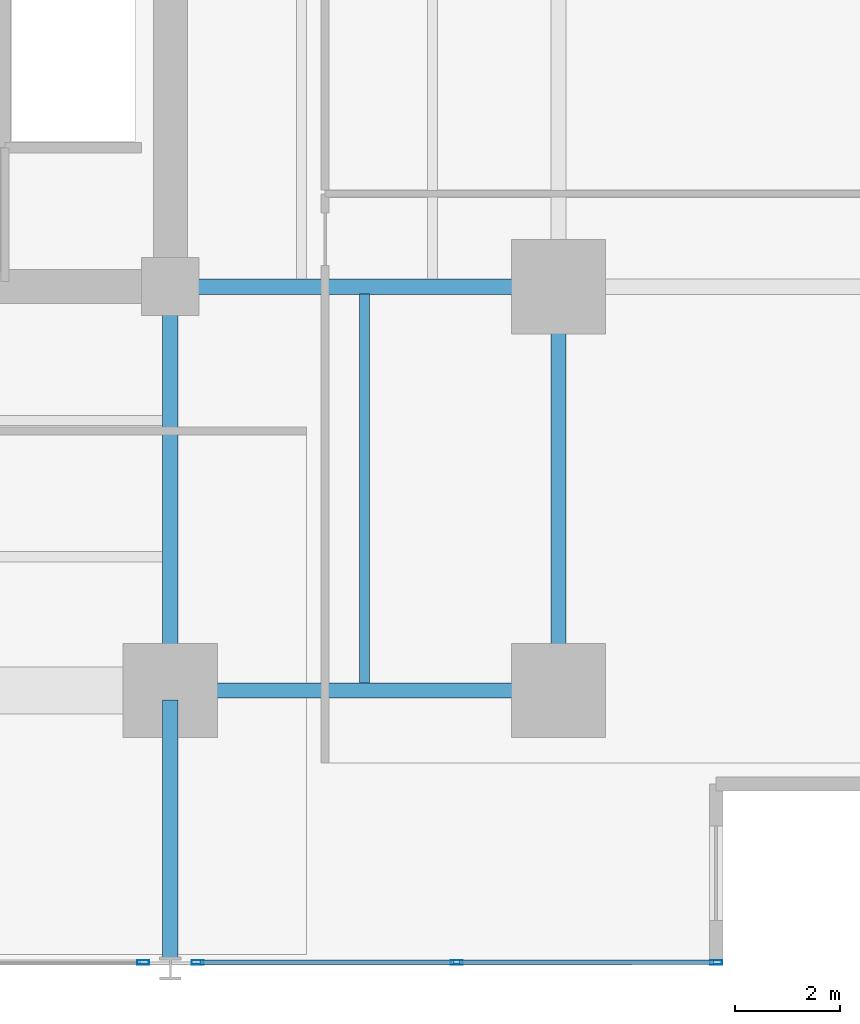
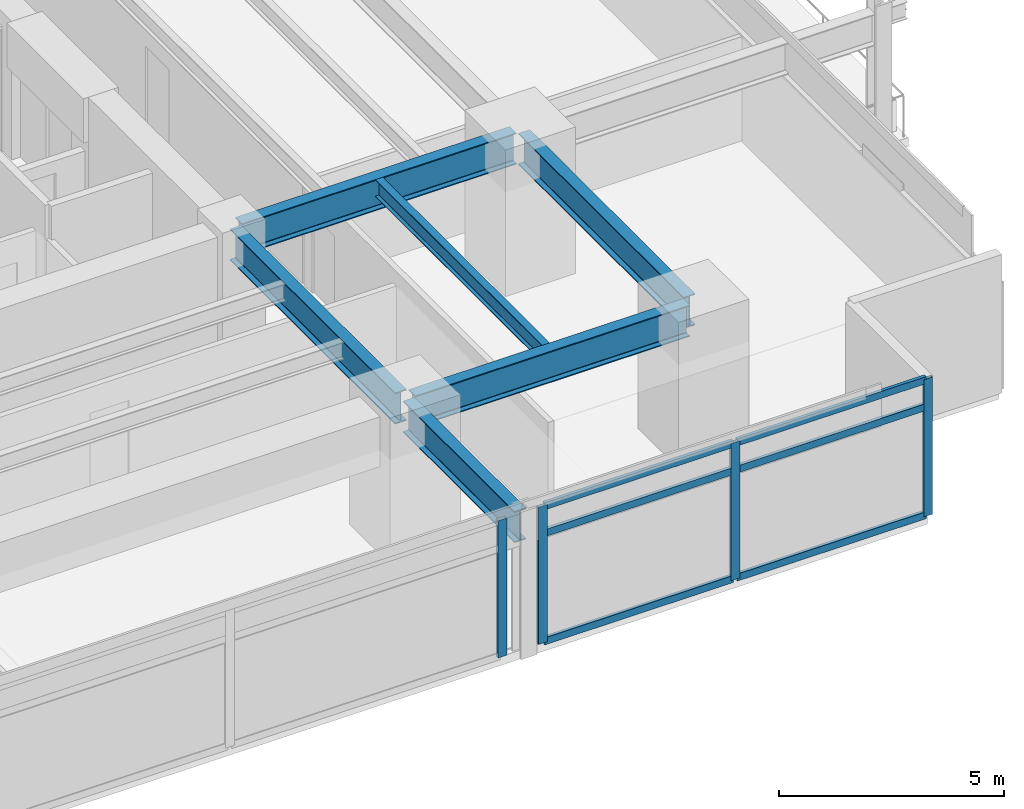
# One storey, part 9 of 20: 10 members, 6 beams, 2 elements without a shape of their own.
"""IFC4 building model written with IfcOpenShell, lengths in metres."""

import ifcopenshell
import ifcopenshell.guid

model = None  # the IFC model being written
_history = None  # IfcOwnerHistory: only IFC2X3 demands one
_inside = {}  # id of a spatial element -> (the spatial element, [elements in it])
_under = {}  # id of a project, library or spatial element -> (it, [spatial elements below it])
_declared = {}  # id of a project -> (the project, [libraries it declares])
_typed = {}  # id of a type object -> (the type object, [elements of that type])
_made_of = {}  # id of a material, layer set ... -> (it, [elements and type objects made of it])


def new_model(schema):
    """Start an empty IFC model of exactly this schema.

    Asked for "IFC4X3", IfcOpenShell would pick the latest addendum, in which some entities
    have other attributes; the version numbers below select the first issue.
    IFC2X3 requires an IfcOwnerHistory on every rooted entity: one is made here for all.
    """
    global model, _history
    if schema == "IFC4X3":
        model = ifcopenshell.file(schema_version=(4, 3, 0, 0))
    else:
        model = ifcopenshell.file(schema=schema)
    _inside.clear()
    _under.clear()
    _declared.clear()
    _typed.clear()
    _made_of.clear()
    _history = None
    if model.schema == "IFC2X3":
        org = make("IfcOrganization", Name="unknown")
        user = make(
            "IfcPersonAndOrganization",
            ThePerson=make("IfcPerson", FamilyName="unknown"),
            TheOrganization=org,
        )
        app = make(
            "IfcApplication",
            ApplicationDeveloper=org,
            Version="unknown",
            ApplicationFullName="unknown",
            ApplicationIdentifier="unknown",
        )
        _history = make(
            "IfcOwnerHistory",
            OwningUser=user,
            OwningApplication=app,
            ChangeAction="ADDED",
            CreationDate=0,
        )
    return model


def make(cls, **values):
    """One entity of the class cls with the attributes given. An attribute that is None is left unset."""
    return model.create_entity(
        cls, **{name: value for name, value in values.items() if value is not None}
    )


def rooted(cls, **values):
    """An entity with a GlobalId (a new one), such as an element, a storey or a relation."""
    return make(cls, GlobalId=ifcopenshell.guid.new(), OwnerHistory=_history, **values)


def si_unit(unit_type, name, prefix=None):
    """IfcSIUnit, for example si_unit("LENGTHUNIT", "METRE", prefix="MILLI")."""
    return make("IfcSIUnit", UnitType=unit_type, Prefix=prefix, Name=name)


def assignment(units):
    """IfcUnitAssignment: the units of a project."""
    return None if units is None else make("IfcUnitAssignment", Units=units)


def point(xyz):
    """IfcCartesianPoint."""
    return None if xyz is None else make("IfcCartesianPoint", Coordinates=xyz)


def direction(xyz):
    """IfcDirection."""
    return None if xyz is None else make("IfcDirection", DirectionRatios=xyz)


def frame(location, z_axis=None, x_axis=None):
    """IfcAxis2Placement3D, a coordinate frame: its origin and axes. An axis left out is left unset."""
    return make(
        "IfcAxis2Placement3D",
        Location=point(location),
        Axis=direction(z_axis),
        RefDirection=direction(x_axis),
    )


def frame_2d(location, x_axis=None):
    """IfcAxis2Placement2D, a coordinate frame in the plane: its origin and x axis."""
    return make(
        "IfcAxis2Placement2D", Location=point(location), RefDirection=direction(x_axis)
    )


def origin():
    """The frame at (0, 0, 0) with its axes left unset."""
    return frame((0.0, 0.0, 0.0))


def origin_2d():
    """The frame at (0, 0) in the plane with its x axis left unset."""
    return frame_2d((0.0, 0.0))


def place(relative_to, where):
    """IfcLocalPlacement: puts the frame where relative to a parent placement (None: the world)."""
    return make(
        "IfcLocalPlacement", PlacementRelTo=relative_to, RelativePlacement=where
    )


def context(
    kind, dimensions, precision=None, world=None, true_north=None, identifier=None
):
    """IfcGeometricRepresentationContext, for example the 3D "Model" context."""
    return make(
        "IfcGeometricRepresentationContext",
        ContextIdentifier=identifier,
        ContextType=kind,
        CoordinateSpaceDimension=dimensions,
        Precision=precision,
        WorldCoordinateSystem=world,
        TrueNorth=true_north,
    )


def subcontext(parent, identifier, kind, view, scale=None):
    """IfcGeometricRepresentationSubContext, for example "Body" below "Model"."""
    return make(
        "IfcGeometricRepresentationSubContext",
        ContextIdentifier=identifier,
        ContextType=kind,
        ParentContext=parent,
        TargetScale=scale,
        TargetView=view,
    )


def project(units=None, contexts=None):
    """IfcProject with its units and contexts."""
    return rooted(
        "IfcProject",
        Name="project",
        RepresentationContexts=contexts,
        UnitsInContext=assignment(units),
    )


def spatial(cls, under=None, at=None, **own):
    """A site, building, storey or space (cls), placed at a placement, below another one or the project."""
    s = rooted(cls, ObjectPlacement=at, **own)
    if under is not None:
        _under.setdefault(under.id(), (under, []))[1].append(s)
    return s


def profile(cls, at=None, kind="AREA", **sizes):
    """A parametric profile (cls). Its sizes go by their IFC names, for example OverallWidth=200.0."""
    return make(cls, ProfileType=kind, Position=at, **sizes)


def hollow_rectangle(**sizes):
    """IfcRectangleHollowProfileDef."""
    return profile("IfcRectangleHollowProfileDef", **sizes)


def i_section(**sizes):
    """IfcIShapeProfileDef."""
    return profile("IfcIShapeProfileDef", **sizes)


def extrude(swept, where, along, depth):
    """IfcExtrudedAreaSolid: the profile swept, set in the frame where, extruded along a direction by depth."""
    return make(
        "IfcExtrudedAreaSolid",
        SweptArea=swept,
        Position=where,
        ExtrudedDirection=direction(along),
        Depth=depth,
    )


def shape(context_of_items, identifier, shape_type, items):
    """IfcShapeRepresentation: the items that make up one representation, for example the "Body"."""
    return make(
        "IfcShapeRepresentation",
        ContextOfItems=context_of_items,
        RepresentationIdentifier=identifier,
        RepresentationType=shape_type,
        Items=items,
    )


def material(Name=None, Category=None):
    """IfcMaterial."""
    return make("IfcMaterial", Name=Name, Category=Category)


def material_profile(
    of_material, cross_section, Name=None, Category=None, Priority=None
):
    """IfcMaterialProfile: a cross section and its material."""
    return make(
        "IfcMaterialProfile",
        Name=Name,
        Material=of_material,
        Profile=cross_section,
        Priority=Priority,
        Category=Category,
    )


def profile_set(profiles, Name=None, composite=None):
    """IfcMaterialProfileSet."""
    return make(
        "IfcMaterialProfileSet",
        Name=Name,
        MaterialProfiles=profiles,
        CompositeProfile=composite,
    )


def made_of(thing, what):
    """Note that an element or type object is made of a material, layer set ...; save() writes the relation."""
    if what is not None:
        _made_of.setdefault(what.id(), (what, []))[1].append(thing)
    return thing


def type_object(cls, material=None, **own):
    """A type object (cls), such as IfcWallType, which elements share."""
    return made_of(rooted(cls, **own), material)


def element(
    cls,
    number,
    at=None,
    inside=None,
    cuts=None,
    type_object=None,
    material=None,
    context=None,
    identifier="Body",
    shape_type=None,
    held_by="IfcProductDefinitionShape",
    body=None,
    shapes=None,
    **own,
):
    """One element of the class cls, such as IfcWall. Its Tag is "e" and its number.

    at: its placement. inside: the storey or other place that contains it. cuts: it is an
    opening in that element (IfcRelVoidsElement). A single representation is given by context,
    identifier, shape_type and body (its items); several are given by shapes. held_by: the class
    of the entity that holds the representations. save() writes the other relations.
    """
    e = rooted(cls, Tag="e%d" % number, ObjectPlacement=at, **own)
    if body is not None:
        shapes = [shape(context, identifier, shape_type, body)]
    if shapes is not None:
        e.Representation = make(held_by, Representations=shapes)
    if inside is not None:
        _inside.setdefault(inside.id(), (inside, []))[1].append(e)
    if cuts is not None:
        rooted(
            "IfcRelVoidsElement", RelatingBuildingElement=cuts, RelatedOpeningElement=e
        )
    if type_object is not None:
        _typed.setdefault(type_object.id(), (type_object, []))[1].append(e)
    return made_of(e, material)


def aggregate(whole, parts):
    """IfcRelAggregates: a whole, such as a stair, and the parts it consists of."""
    return rooted("IfcRelAggregates", RelatingObject=whole, RelatedObjects=parts)


def save(model, path):
    """Write the relations noted so far, then the file.

    IfcRelAggregates (storeys below a building ...), IfcRelContainedInSpatialStructure (elements
    in a storey), IfcRelDefinesByType, IfcRelAssociatesMaterial and IfcRelDeclares: one each for
    every whole, place, type object, material and project.
    """
    for whole, parts in _under.values():
        aggregate(whole, parts)
    for where, things in _inside.values():
        rooted(
            "IfcRelContainedInSpatialStructure",
            RelatedElements=things,
            RelatingStructure=where,
        )
    for kind, things in _typed.values():
        rooted("IfcRelDefinesByType", RelatedObjects=things, RelatingType=kind)
    for what, things in _made_of.values():
        rooted("IfcRelAssociatesMaterial", RelatedObjects=things, RelatingMaterial=what)
    for by, libraries in _declared.values():
        rooted("IfcRelDeclares", RelatingContext=by, RelatedDefinitions=libraries)
    model.write(path)


model = new_model("IFC4")

# Units and contexts
model_context = context("Model", 3, precision=1e-05, world=origin(), true_north=direction((0.0, 1.0)))
body_context = subcontext(model_context, "Body", "Model", "MODEL_VIEW")
ifc_project = project(units=[si_unit("LENGTHUNIT", "METRE"), si_unit("AREAUNIT", "SQUARE_METRE"), si_unit("VOLUMEUNIT", "CUBIC_METRE"), si_unit("PLANEANGLEUNIT", "RADIAN"), si_unit("MASSUNIT", "GRAM", prefix="KILO")], contexts=[model_context])

# Site, building, storey
site_placement = place(None, origin())
site = spatial("IfcSite", under=ifc_project, at=site_placement, CompositionType="ELEMENT")
building_placement = place(site_placement, origin())
building = spatial("IfcBuilding", under=site, at=building_placement, Name="Kovane Verandah Tower", CompositionType="ELEMENT")
storey_placement = place(building_placement, frame((0.0, 0.0, 39.60009765625)))
storey = spatial("IfcBuildingStorey", under=building, at=storey_placement, Name="L08", CompositionType="ELEMENT", Elevation=39.60009765625)

# Beams
ifc_material_1 = material(Name="Steel S355", Category="steel")
ifc_material_profile_1 = material_profile(ifc_material_1, i_section(OverallWidth=0.293701171875, OverallDepth=0.850830078125, WebThickness=0.01611328125, FlangeThickness=0.02685546875, FilletRadius=0.017822265625, at=origin_2d()), Name="UB838x292x226")
ifc_profile_set_1 = profile_set([ifc_material_profile_1], Name="Steel S355")
beam_type_1 = type_object("IfcBeamType", Name="BM-UB838x226", PredefinedType="BEAM", material=ifc_profile_set_1)
beam_1_placement = place(storey_placement, frame((51.179931640625, 10.800048828125, 3.33447265625), z_axis=(1.0, 0.0, 0.0), x_axis=(0.0, 1.0, 0.0)))
element("IfcBeam", 1, at=beam_1_placement, inside=storey, type_object=beam_type_1, Name="L08 Primary Tower Girder G-RS3", PredefinedType="BEAM", context=body_context, shape_type="SweptSolid", body=[
    extrude(i_section(OverallWidth=0.293701171875, OverallDepth=0.850830078125, WebThickness=0.01611328125, FlangeThickness=0.02685546875, FilletRadius=0.017822265625, at=origin_2d()), origin(), (0.0, 0.0, 1.0), 7.0400390625),
])
beam_2_placement = place(storey_placement, frame((58.39990234375, 10.97998046875, 3.33447265625), z_axis=(0.0, 1.0, 0.0), x_axis=(-1.0, 0.0, 0.0)))
element("IfcBeam", 2, at=beam_2_placement, inside=storey, type_object=beam_type_1, Name="L08 Primary Tower Girder G-RE1", PredefinedType="BEAM", context=body_context, shape_type="SweptSolid", body=[
    extrude(i_section(OverallWidth=0.293701171875, OverallDepth=0.850830078125, WebThickness=0.01611328125, FlangeThickness=0.02685546875, FilletRadius=0.017822265625, at=origin_2d()), origin(), (0.0, 0.0, 1.0), 7.340087890625),
])
beam_3_placement = place(storey_placement, frame((51.179931640625, 18.5, 3.33447265625), z_axis=(1.0, 0.0, 0.0), x_axis=(0.0, 1.0, 0.0)))
element("IfcBeam", 3, at=beam_3_placement, inside=storey, type_object=beam_type_1, Name="L08 Primary Tower Girder G-E1", PredefinedType="BEAM", context=body_context, shape_type="SweptSolid", body=[
    extrude(i_section(OverallWidth=0.293701171875, OverallDepth=0.850830078125, WebThickness=0.01611328125, FlangeThickness=0.02685546875, FilletRadius=0.017822265625, at=origin_2d()), origin(), (0.0, 0.0, 1.0), 7.0400390625),
])
beam_4_placement = place(storey_placement, frame((51.0, 18.320068359375, 3.33447265625), z_axis=(0.0, -1.0, 0.0), x_axis=(1.0, 0.0, 0.0)))
element("IfcBeam", 4, at=beam_4_placement, inside=storey, type_object=beam_type_1, Name="L08 Primary Tower Girder G-S2", PredefinedType="BEAM", context=body_context, shape_type="SweptSolid", body=[
    extrude(i_section(OverallWidth=0.293701171875, OverallDepth=0.850830078125, WebThickness=0.01611328125, FlangeThickness=0.02685546875, FilletRadius=0.017822265625, at=origin_2d()), origin(), (0.0, 0.0, 1.0), 7.340087890625),
])
beam_5_placement = place(storey_placement, frame((51.0, 10.6201171875, 3.33447265625), z_axis=(0.0, -1.0, 0.0), x_axis=(1.0, 0.0, 0.0)))
element("IfcBeam", 5, at=beam_5_placement, inside=storey, type_object=beam_type_1, Name="L08 Primary Tower Girder G-VS2", PredefinedType="BEAM", context=body_context, shape_type="SweptSolid", body=[
    extrude(i_section(OverallWidth=0.293701171875, OverallDepth=0.850830078125, WebThickness=0.01611328125, FlangeThickness=0.02685546875, FilletRadius=0.017822265625, at=origin_2d()), origin(), (0.0, 0.0, 1.0), 4.940185546875),
])

# Curtain wall, member
ifc_material_2 = material(Name="Champagne Anodised Aluminium Frame with Low-E Clear Laminated Glass", Category="aluminium")
curtain_wall_type = type_object("IfcCurtainWallType", Name="CW-SYS-02-LOW", PredefinedType="NOTDEFINED", material=ifc_material_2)
curtain_wall_1_placement = place(storey_placement, origin())
curtain_wall_1 = element("IfcCurtainWall", 6, at=curtain_wall_1_placement, inside=storey, type_object=curtain_wall_type, Name="L08 S Unitised Curtain Wall-2", PredefinedType="NOTDEFINED")
ifc_material_3 = material(Name="Champagne Anodised Aluminium 6063-T6", Category="aluminium")
ifc_material_profile_2 = material_profile(ifc_material_3, hollow_rectangle(XDim=0.0849609375, YDim=0.22998046875, WallThickness=0.00390625, at=origin_2d()), Name="AL85x230x4")
ifc_profile_set_2 = profile_set([ifc_material_profile_2], Name="Champagne Anodised Aluminium 6063-T6")
member_type_1 = type_object("IfcMemberType", Name="CW-MUL-85x230", PredefinedType="MULLION", material=ifc_profile_set_2)
member_1_placement = place(storey_placement, frame((50.47998046875, 5.617919921875, 0.02001953125), z_axis=(0.0, 0.0, 1.0), x_axis=(0.0, -1.0, 0.0)))
member_1 = element("IfcMember", 7, at=member_1_placement, type_object=member_type_1, Name="L08 S Unitised Curtain Wall-2 Mullion 4", PredefinedType="MULLION", context=body_context, shape_type="SweptSolid", body=[
    extrude(hollow_rectangle(XDim=0.0849609375, YDim=0.22998046875, WallThickness=0.00390625, at=origin_2d()), origin(), (0.0, 0.0, 1.0), 3.719970703125),
])
aggregate(curtain_wall_1, [member_1])

# Curtain wall, members
curtain_wall_2_placement = place(storey_placement, origin())
curtain_wall_2 = element("IfcCurtainWall", 8, at=curtain_wall_2_placement, inside=storey, type_object=curtain_wall_type, Name="L08 S Unitised Curtain Wall-3", PredefinedType="NOTDEFINED")
member_2_placement = place(storey_placement, frame((51.52001953125, 5.617919921875, 0.02001953125), z_axis=(0.0, 0.0, 1.0), x_axis=(0.0, -1.0, 0.0)))
member_2 = element("IfcMember", 9, at=member_2_placement, type_object=member_type_1, Name="L08 S Unitised Curtain Wall-3 Mullion 1", PredefinedType="MULLION", context=body_context, shape_type="SweptSolid", body=[
    extrude(hollow_rectangle(XDim=0.0849609375, YDim=0.22998046875, WallThickness=0.00390625, at=origin_2d()), origin(), (0.0, 0.0, 1.0), 3.719970703125),
])
member_3_placement = place(storey_placement, frame((56.461669921875, 5.617919921875, 0.02001953125), z_axis=(0.0, 0.0, 1.0), x_axis=(0.0, -1.0, 0.0)))
member_3 = element("IfcMember", 10, at=member_3_placement, type_object=member_type_1, Name="L08 S Unitised Curtain Wall-3 Mullion 2", PredefinedType="MULLION", context=body_context, shape_type="SweptSolid", body=[
    extrude(hollow_rectangle(XDim=0.0849609375, YDim=0.22998046875, WallThickness=0.00390625, at=origin_2d()), origin(), (0.0, 0.0, 1.0), 3.719970703125),
])
member_4_placement = place(storey_placement, frame((61.4033203125, 5.617919921875, 0.02001953125), z_axis=(0.0, 0.0, 1.0), x_axis=(0.0, -1.0, 0.0)))
member_4 = element("IfcMember", 11, at=member_4_placement, type_object=member_type_1, Name="L08 S Unitised Curtain Wall-3 Mullion 3", PredefinedType="MULLION", context=body_context, shape_type="SweptSolid", body=[
    extrude(hollow_rectangle(XDim=0.0849609375, YDim=0.22998046875, WallThickness=0.00390625, at=origin_2d()), origin(), (0.0, 0.0, 1.0), 3.719970703125),
])
ifc_material_profile_3 = material_profile(ifc_material_3, hollow_rectangle(XDim=0.0849609375, YDim=0.18994140625, WallThickness=0.00390625, at=origin_2d()), Name="AL85x190x4")
ifc_profile_set_3 = profile_set([ifc_material_profile_3], Name="Champagne Anodised Aluminium 6063-T6")
member_type_2 = type_object("IfcMemberType", Name="CW-TRN-85x190", PredefinedType="USERDEFINED", material=ifc_profile_set_3)
member_5_placement = place(storey_placement, frame((51.570068359375, 5.617919921875, 0.0498046875), z_axis=(1.0, 0.0, 0.0), x_axis=(0.0, 1.0, 0.0)))
member_5 = element("IfcMember", 12, at=member_5_placement, type_object=member_type_2, Name="L08 S Unitised Curtain Wall-3 Transom TB Bay 1", ObjectType="TRANSOM", PredefinedType="USERDEFINED", context=body_context, shape_type="SweptSolid", body=[
    extrude(hollow_rectangle(XDim=0.0849609375, YDim=0.18994140625, WallThickness=0.00390625, at=origin_2d()), origin(), (0.0, 0.0, 1.0), 4.841552734375),
])
member_6_placement = place(storey_placement, frame((51.570068359375, 5.617919921875, 2.97998046875), z_axis=(1.0, 0.0, 0.0), x_axis=(0.0, 1.0, 0.0)))
member_6 = element("IfcMember", 13, at=member_6_placement, type_object=member_type_2, Name="L08 S Unitised Curtain Wall-3 Transom TM Bay 1", ObjectType="TRANSOM", PredefinedType="USERDEFINED", context=body_context, shape_type="SweptSolid", body=[
    extrude(hollow_rectangle(XDim=0.0849609375, YDim=0.18994140625, WallThickness=0.00390625, at=origin_2d()), origin(), (0.0, 0.0, 1.0), 4.841552734375),
])
member_7_placement = place(storey_placement, frame((51.570068359375, 5.617919921875, 3.7099609375), z_axis=(1.0, 0.0, 0.0), x_axis=(0.0, 1.0, 0.0)))
member_7 = element("IfcMember", 14, at=member_7_placement, type_object=member_type_2, Name="L08 S Unitised Curtain Wall-3 Transom TT Bay 1", ObjectType="TRANSOM", PredefinedType="USERDEFINED", context=body_context, shape_type="SweptSolid", body=[
    extrude(hollow_rectangle(XDim=0.0849609375, YDim=0.18994140625, WallThickness=0.00390625, at=origin_2d()), origin(), (0.0, 0.0, 1.0), 4.841552734375),
])
member_8_placement = place(storey_placement, frame((56.51171875, 5.617919921875, 0.0498046875), z_axis=(1.0, 0.0, 0.0), x_axis=(0.0, 1.0, 0.0)))
member_8 = element("IfcMember", 15, at=member_8_placement, type_object=member_type_2, Name="L08 S Unitised Curtain Wall-3 Transom TB Bay 2", ObjectType="TRANSOM", PredefinedType="USERDEFINED", context=body_context, shape_type="SweptSolid", body=[
    extrude(hollow_rectangle(XDim=0.0849609375, YDim=0.18994140625, WallThickness=0.00390625, at=origin_2d()), origin(), (0.0, 0.0, 1.0), 4.841552734375),
])
member_9_placement = place(storey_placement, frame((56.51171875, 5.617919921875, 2.97998046875), z_axis=(1.0, 0.0, 0.0), x_axis=(0.0, 1.0, 0.0)))
member_9 = element("IfcMember", 16, at=member_9_placement, type_object=member_type_2, Name="L08 S Unitised Curtain Wall-3 Transom TM Bay 2", ObjectType="TRANSOM", PredefinedType="USERDEFINED", context=body_context, shape_type="SweptSolid", body=[
    extrude(hollow_rectangle(XDim=0.0849609375, YDim=0.18994140625, WallThickness=0.00390625, at=origin_2d()), origin(), (0.0, 0.0, 1.0), 4.841552734375),
])
member_10_placement = place(storey_placement, frame((56.51171875, 5.617919921875, 3.7099609375), z_axis=(1.0, 0.0, 0.0), x_axis=(0.0, 1.0, 0.0)))
member_10 = element("IfcMember", 17, at=member_10_placement, type_object=member_type_2, Name="L08 S Unitised Curtain Wall-3 Transom TT Bay 2", ObjectType="TRANSOM", PredefinedType="USERDEFINED", context=body_context, shape_type="SweptSolid", body=[
    extrude(hollow_rectangle(XDim=0.0849609375, YDim=0.18994140625, WallThickness=0.00390625, at=origin_2d()), origin(), (0.0, 0.0, 1.0), 4.841552734375),
])
aggregate(curtain_wall_2, [member_2, member_3, member_4, member_5, member_6, member_7, member_8, member_9, member_10])

# Beam
ifc_material_profile_4 = material_profile(ifc_material_1, i_section(OverallWidth=0.19287109375, OverallDepth=0.46728515625, WebThickness=0.011474609375, FlangeThickness=0.01953125, FilletRadius=0.01025390625, at=origin_2d()), Name="UB457x191x98")
ifc_profile_set_4 = profile_set([ifc_material_profile_4], Name="Steel S355")
beam_type_2 = type_object("IfcBeamType", Name="JST-UB457x98", PredefinedType="JOIST", material=ifc_profile_set_4)
beam_6_placement = place(storey_placement, frame((54.699951171875, 10.94482421875, 3.5263671875), z_axis=(0.0, 1.0, 0.0), x_axis=(-1.0, 0.0, 0.0)))
element("IfcBeam", 18, at=beam_6_placement, inside=storey, type_object=beam_type_2, Name="L08 Secondary Composite Joist J-SE1", PredefinedType="JOIST", context=body_context, shape_type="SweptSolid", body=[
    extrude(i_section(OverallWidth=0.19287109375, OverallDepth=0.46728515625, WebThickness=0.011474609375, FlangeThickness=0.01953125, FilletRadius=0.01025390625, at=origin_2d()), origin(), (0.0, 0.0, 1.0), 7.41015625),
])

save(model, "model.ifc")
